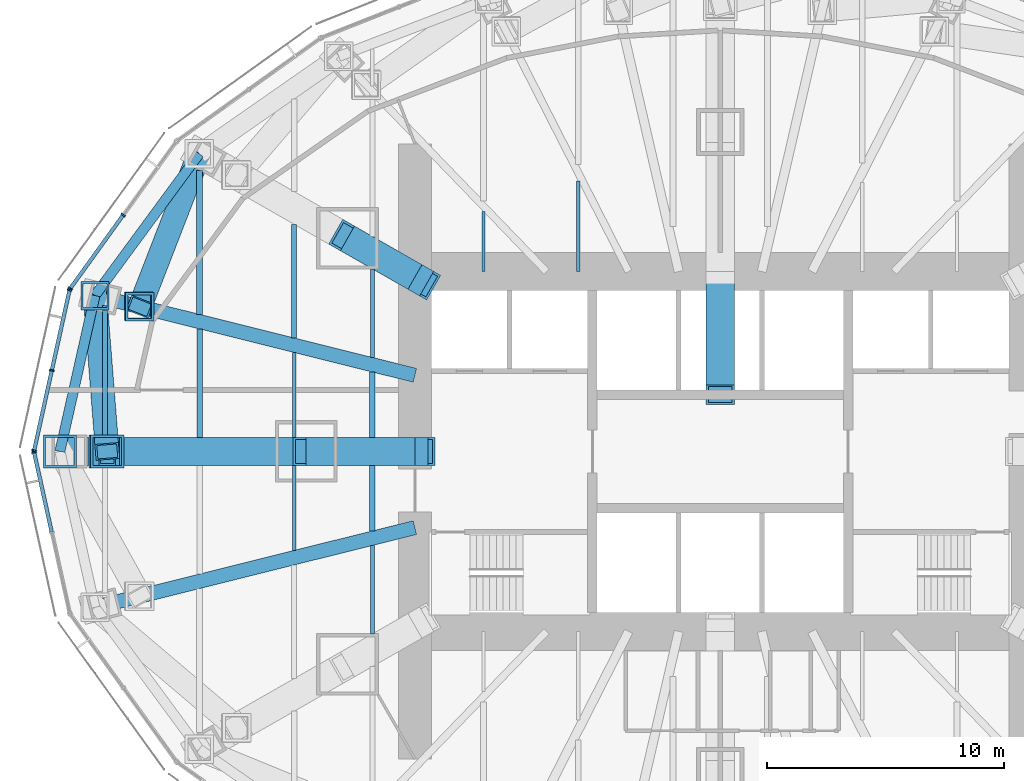
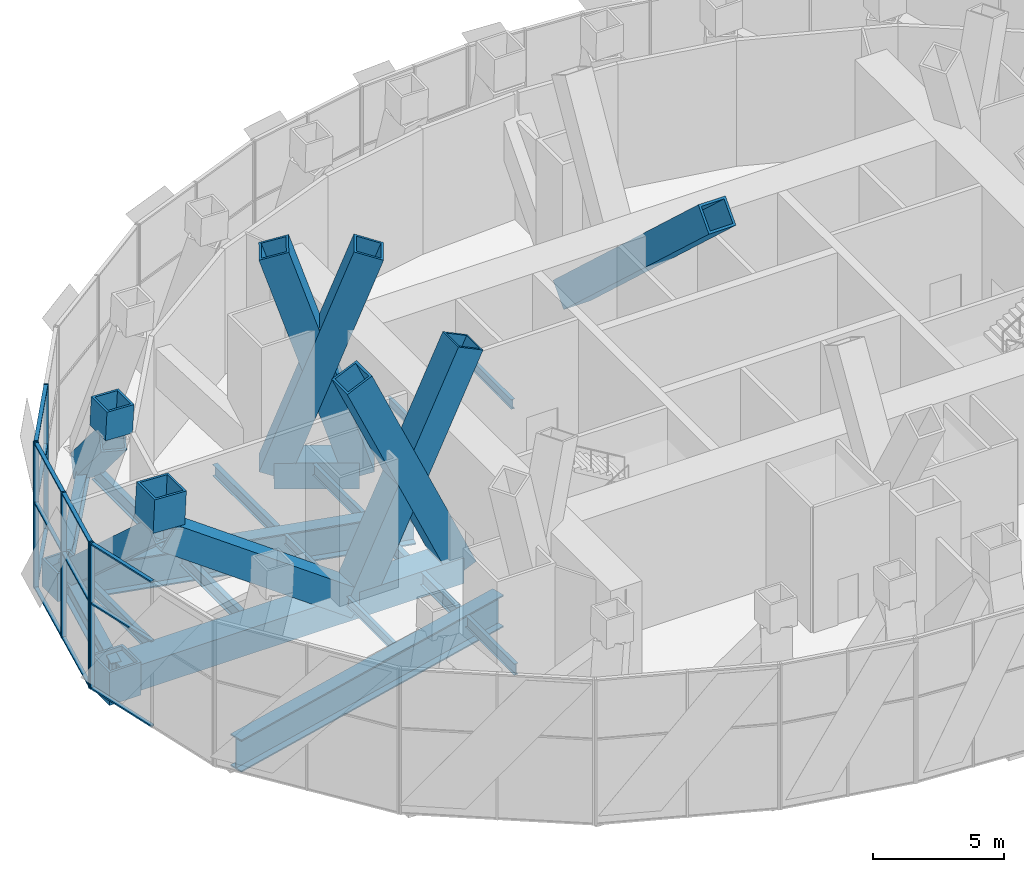
# One storey, part 4 of 19: 30 members, 19 beams, 3 elements without a shape of their own.
"""IFC4 building model written with IfcOpenShell, lengths in metres."""

import ifcopenshell
import ifcopenshell.guid

model = None  # the IFC model being written
_history = None  # IfcOwnerHistory: only IFC2X3 demands one
_inside = {}  # id of a spatial element -> (the spatial element, [elements in it])
_under = {}  # id of a project, library or spatial element -> (it, [spatial elements below it])
_declared = {}  # id of a project -> (the project, [libraries it declares])
_typed = {}  # id of a type object -> (the type object, [elements of that type])
_made_of = {}  # id of a material, layer set ... -> (it, [elements and type objects made of it])


def new_model(schema):
    """Start an empty IFC model of exactly this schema.

    Asked for "IFC4X3", IfcOpenShell would pick the latest addendum, in which some entities
    have other attributes; the version numbers below select the first issue.
    IFC2X3 requires an IfcOwnerHistory on every rooted entity: one is made here for all.
    """
    global model, _history
    if schema == "IFC4X3":
        model = ifcopenshell.file(schema_version=(4, 3, 0, 0))
    else:
        model = ifcopenshell.file(schema=schema)
    _inside.clear()
    _under.clear()
    _declared.clear()
    _typed.clear()
    _made_of.clear()
    _history = None
    if model.schema == "IFC2X3":
        org = make("IfcOrganization", Name="unknown")
        user = make(
            "IfcPersonAndOrganization",
            ThePerson=make("IfcPerson", FamilyName="unknown"),
            TheOrganization=org,
        )
        app = make(
            "IfcApplication",
            ApplicationDeveloper=org,
            Version="unknown",
            ApplicationFullName="unknown",
            ApplicationIdentifier="unknown",
        )
        _history = make(
            "IfcOwnerHistory",
            OwningUser=user,
            OwningApplication=app,
            ChangeAction="ADDED",
            CreationDate=0,
        )
    return model


def make(cls, **values):
    """One entity of the class cls with the attributes given. An attribute that is None is left unset."""
    return model.create_entity(
        cls, **{name: value for name, value in values.items() if value is not None}
    )


def rooted(cls, **values):
    """An entity with a GlobalId (a new one), such as an element, a storey or a relation."""
    return make(cls, GlobalId=ifcopenshell.guid.new(), OwnerHistory=_history, **values)


def si_unit(unit_type, name, prefix=None):
    """IfcSIUnit, for example si_unit("LENGTHUNIT", "METRE", prefix="MILLI")."""
    return make("IfcSIUnit", UnitType=unit_type, Prefix=prefix, Name=name)


def assignment(units):
    """IfcUnitAssignment: the units of a project."""
    return None if units is None else make("IfcUnitAssignment", Units=units)


def point(xyz):
    """IfcCartesianPoint."""
    return None if xyz is None else make("IfcCartesianPoint", Coordinates=xyz)


def direction(xyz):
    """IfcDirection."""
    return None if xyz is None else make("IfcDirection", DirectionRatios=xyz)


def frame(location, z_axis=None, x_axis=None):
    """IfcAxis2Placement3D, a coordinate frame: its origin and axes. An axis left out is left unset."""
    return make(
        "IfcAxis2Placement3D",
        Location=point(location),
        Axis=direction(z_axis),
        RefDirection=direction(x_axis),
    )


def frame_2d(location, x_axis=None):
    """IfcAxis2Placement2D, a coordinate frame in the plane: its origin and x axis."""
    return make(
        "IfcAxis2Placement2D", Location=point(location), RefDirection=direction(x_axis)
    )


def origin():
    """The frame at (0, 0, 0) with its axes left unset."""
    return frame((0.0, 0.0, 0.0))


def origin_2d():
    """The frame at (0, 0) in the plane with its x axis left unset."""
    return frame_2d((0.0, 0.0))


def place(relative_to, where):
    """IfcLocalPlacement: puts the frame where relative to a parent placement (None: the world)."""
    return make(
        "IfcLocalPlacement", PlacementRelTo=relative_to, RelativePlacement=where
    )


def context(
    kind, dimensions, precision=None, world=None, true_north=None, identifier=None
):
    """IfcGeometricRepresentationContext, for example the 3D "Model" context."""
    return make(
        "IfcGeometricRepresentationContext",
        ContextIdentifier=identifier,
        ContextType=kind,
        CoordinateSpaceDimension=dimensions,
        Precision=precision,
        WorldCoordinateSystem=world,
        TrueNorth=true_north,
    )


def subcontext(parent, identifier, kind, view, scale=None):
    """IfcGeometricRepresentationSubContext, for example "Body" below "Model"."""
    return make(
        "IfcGeometricRepresentationSubContext",
        ContextIdentifier=identifier,
        ContextType=kind,
        ParentContext=parent,
        TargetScale=scale,
        TargetView=view,
    )


def project(units=None, contexts=None):
    """IfcProject with its units and contexts."""
    return rooted(
        "IfcProject",
        Name="project",
        RepresentationContexts=contexts,
        UnitsInContext=assignment(units),
    )


def spatial(cls, under=None, at=None, **own):
    """A site, building, storey or space (cls), placed at a placement, below another one or the project."""
    s = rooted(cls, ObjectPlacement=at, **own)
    if under is not None:
        _under.setdefault(under.id(), (under, []))[1].append(s)
    return s


def profile(cls, at=None, kind="AREA", **sizes):
    """A parametric profile (cls). Its sizes go by their IFC names, for example OverallWidth=200.0."""
    return make(cls, ProfileType=kind, Position=at, **sizes)


def rectangle(**sizes):
    """IfcRectangleProfileDef."""
    return profile("IfcRectangleProfileDef", **sizes)


def hollow_rectangle(**sizes):
    """IfcRectangleHollowProfileDef."""
    return profile("IfcRectangleHollowProfileDef", **sizes)


def i_section(**sizes):
    """IfcIShapeProfileDef."""
    return profile("IfcIShapeProfileDef", **sizes)


def extrude(swept, where, along, depth):
    """IfcExtrudedAreaSolid: the profile swept, set in the frame where, extruded along a direction by depth."""
    return make(
        "IfcExtrudedAreaSolid",
        SweptArea=swept,
        Position=where,
        ExtrudedDirection=direction(along),
        Depth=depth,
    )


def shape(context_of_items, identifier, shape_type, items):
    """IfcShapeRepresentation: the items that make up one representation, for example the "Body"."""
    return make(
        "IfcShapeRepresentation",
        ContextOfItems=context_of_items,
        RepresentationIdentifier=identifier,
        RepresentationType=shape_type,
        Items=items,
    )


def material(Name=None, Category=None):
    """IfcMaterial."""
    return make("IfcMaterial", Name=Name, Category=Category)


def material_profile(
    of_material, cross_section, Name=None, Category=None, Priority=None
):
    """IfcMaterialProfile: a cross section and its material."""
    return make(
        "IfcMaterialProfile",
        Name=Name,
        Material=of_material,
        Profile=cross_section,
        Priority=Priority,
        Category=Category,
    )


def profile_set(profiles, Name=None, composite=None):
    """IfcMaterialProfileSet."""
    return make(
        "IfcMaterialProfileSet",
        Name=Name,
        MaterialProfiles=profiles,
        CompositeProfile=composite,
    )


def made_of(thing, what):
    """Note that an element or type object is made of a material, layer set ...; save() writes the relation."""
    if what is not None:
        _made_of.setdefault(what.id(), (what, []))[1].append(thing)
    return thing


def type_object(cls, material=None, **own):
    """A type object (cls), such as IfcWallType, which elements share."""
    return made_of(rooted(cls, **own), material)


def element(
    cls,
    number,
    at=None,
    inside=None,
    cuts=None,
    type_object=None,
    material=None,
    context=None,
    identifier="Body",
    shape_type=None,
    held_by="IfcProductDefinitionShape",
    body=None,
    shapes=None,
    **own,
):
    """One element of the class cls, such as IfcWall. Its Tag is "e" and its number.

    at: its placement. inside: the storey or other place that contains it. cuts: it is an
    opening in that element (IfcRelVoidsElement). A single representation is given by context,
    identifier, shape_type and body (its items); several are given by shapes. held_by: the class
    of the entity that holds the representations. save() writes the other relations.
    """
    e = rooted(cls, Tag="e%d" % number, ObjectPlacement=at, **own)
    if body is not None:
        shapes = [shape(context, identifier, shape_type, body)]
    if shapes is not None:
        e.Representation = make(held_by, Representations=shapes)
    if inside is not None:
        _inside.setdefault(inside.id(), (inside, []))[1].append(e)
    if cuts is not None:
        rooted(
            "IfcRelVoidsElement", RelatingBuildingElement=cuts, RelatedOpeningElement=e
        )
    if type_object is not None:
        _typed.setdefault(type_object.id(), (type_object, []))[1].append(e)
    return made_of(e, material)


def aggregate(whole, parts):
    """IfcRelAggregates: a whole, such as a stair, and the parts it consists of."""
    return rooted("IfcRelAggregates", RelatingObject=whole, RelatedObjects=parts)


def save(model, path):
    """Write the relations noted so far, then the file.

    IfcRelAggregates (storeys below a building ...), IfcRelContainedInSpatialStructure (elements
    in a storey), IfcRelDefinesByType, IfcRelAssociatesMaterial and IfcRelDeclares: one each for
    every whole, place, type object, material and project.
    """
    for whole, parts in _under.values():
        aggregate(whole, parts)
    for where, things in _inside.values():
        rooted(
            "IfcRelContainedInSpatialStructure",
            RelatedElements=things,
            RelatingStructure=where,
        )
    for kind, things in _typed.values():
        rooted("IfcRelDefinesByType", RelatedObjects=things, RelatingType=kind)
    for what, things in _made_of.values():
        rooted("IfcRelAssociatesMaterial", RelatedObjects=things, RelatingMaterial=what)
    for by, libraries in _declared.values():
        rooted("IfcRelDeclares", RelatingContext=by, RelatedDefinitions=libraries)
    model.write(path)


model = new_model("IFC4")

# Units and contexts
model_context = context("Model", 3, precision=1e-05, world=origin(), true_north=direction((0.0, 1.0)))
body_context = subcontext(model_context, "Body", "Model", "MODEL_VIEW")
ifc_project = project(units=[si_unit("LENGTHUNIT", "METRE"), si_unit("AREAUNIT", "SQUARE_METRE"), si_unit("VOLUMEUNIT", "CUBIC_METRE"), si_unit("PLANEANGLEUNIT", "RADIAN"), si_unit("MASSUNIT", "GRAM", prefix="KILO")], contexts=[model_context])

# Site, building, storey
site_placement = place(None, origin())
site = spatial("IfcSite", under=ifc_project, at=site_placement, CompositionType="ELEMENT")
building_placement = place(site_placement, origin())
building = spatial("IfcBuilding", under=site, at=building_placement, Name="Lantaw Convention Tower", CompositionType="ELEMENT")
storey_placement = place(building_placement, frame((0.0, 0.0, 193.0)))
storey = spatial("IfcBuildingStorey", under=building, at=storey_placement, Name="L45", CompositionType="ELEMENT", Elevation=193.0)

# Beams
ifc_material_1 = material(Name="Steel ASTM A992", Category="steel")
ifc_material_profile_1 = material_profile(ifc_material_1, i_section(OverallWidth=0.424072265625, OverallDepth=0.947509765625, WebThickness=0.02392578125, FlangeThickness=0.042724609375, FilletRadius=0.012451171875, at=origin_2d()), Name="W36X302")
ifc_profile_set_1 = profile_set([ifc_material_profile_1], Name="Steel ASTM A992")
beam_type_1 = type_object("IfcBeamType", Name="Beam BC W36X302", PredefinedType="SPANDREL", material=ifc_profile_set_1)
beam_1_placement = place(storey_placement, frame((-22.013916015625, 12.579345703125, -0.673828125), z_axis=(-0.5923891972, -0.805651934176, 0.0), x_axis=(0.805651934176, -0.5923891972, 0.0)))
element("IfcBeam", 1, at=beam_1_placement, inside=storey, type_object=beam_type_1, Name="Belt truss chord 11", PredefinedType="SPANDREL", context=body_context, shape_type="SweptSolid", body=[
    extrude(i_section(OverallWidth=0.424072265625, OverallDepth=0.947509765625, WebThickness=0.02392578125, FlangeThickness=0.042724609375, FilletRadius=0.012451171875, at=origin_2d()), origin(), (0.0, 0.0, 1.0), 7.437744140625),
])
beam_2_placement = place(storey_placement, frame((-26.419921875, 6.587158203125, -0.673828125), z_axis=(-0.219211877447, -0.975677279015, 0.0), x_axis=(0.975677279015, -0.219211877447, 0.0)))
element("IfcBeam", 2, at=beam_2_placement, inside=storey, type_object=beam_type_1, Name="Belt truss chord 12", PredefinedType="SPANDREL", context=body_context, shape_type="SweptSolid", body=[
    extrude(i_section(OverallWidth=0.424072265625, OverallDepth=0.947509765625, WebThickness=0.02392578125, FlangeThickness=0.042724609375, FilletRadius=0.012451171875, at=origin_2d()), origin(), (0.0, 0.0, 1.0), 6.75146484375),
])
ifc_material_2 = material(Name="Steel EN 10025-3 S460N", Category="steel")
ifc_material_profile_2 = material_profile(ifc_material_2, hollow_rectangle(XDim=1.199951171875, YDim=1.199951171875, WallThickness=0.10009765625, at=origin_2d()), Name="BOX1200X100")
ifc_profile_set_2 = profile_set([ifc_material_profile_2], Name="Steel EN 10025-3 S460N")
beam_type_2 = type_object("IfcBeamType", Name="Beam G BOX1200X100", PredefinedType="BEAM", material=ifc_profile_set_2)
beam_3_placement = place(storey_placement, frame((-17.5, 0.0, -0.800048828125), z_axis=(-1.0, 0.0, 0.0), x_axis=(0.0, -1.0, 0.0)))
element("IfcBeam", 3, at=beam_3_placement, inside=storey, type_object=beam_type_2, Name="Floor girder on ray 13", PredefinedType="BEAM", context=body_context, shape_type="SweptSolid", body=[
    extrude(hollow_rectangle(XDim=1.199951171875, YDim=1.199951171875, WallThickness=0.10009765625, at=origin_2d()), origin(), (0.0, 0.0, 1.0), 10.39990234375),
])
ifc_material_3 = material(Name="Steel ASTM A572 Grade 50", Category="steel")
ifc_material_profile_3 = material_profile(ifc_material_3, i_section(OverallWidth=0.60009765625, OverallDepth=1.5, WebThickness=0.02490234375, FlangeThickness=0.06005859375, at=origin_2d()), Name="PG1500X600X25X60")
ifc_profile_set_3 = profile_set([ifc_material_profile_3], Name="Steel ASTM A572 Grade 50")
beam_type_3 = type_object("IfcBeamType", Name="Beam G PG1500X600X25X60", PredefinedType="BEAM", material=ifc_profile_set_3)
for number, where, z_axis, x_axis, name in (
    (4, (-12.89990234375, 3.21630859375, -0.949951171875), (-0.970296903132, 0.24191717544, 0.0), (-0.24191717544, -0.970296903132, 0.0), "Floor girder on ray 12"),
    (5, (-12.89990234375, -3.21630859375, -0.949951171875), (-0.970296903132, -0.24191717544, 0.0), (0.24191717544, -0.970296903132, 0.0), "Floor girder on ray 14"),
):
    element("IfcBeam", number, at=place(storey_placement, frame(where, z_axis=z_axis, x_axis=x_axis)), inside=storey, type_object=beam_type_3, Name=name, PredefinedType="BEAM", context=body_context, shape_type="SweptSolid", body=[
        extrude(i_section(OverallWidth=0.60009765625, OverallDepth=1.5, WebThickness=0.02490234375, FlangeThickness=0.06005859375, at=origin_2d()), origin(), (0.0, 0.0, 1.0), 13.933837890625),
    ])
ifc_material_profile_4 = material_profile(ifc_material_1, i_section(OverallWidth=0.140380859375, OverallDepth=0.40380859375, WebThickness=0.007080078125, FlangeThickness=0.01123046875, FilletRadius=0.01025390625, at=origin_2d()), Name="W16X31")
ifc_profile_set_4 = profile_set([ifc_material_profile_4], Name="Steel ASTM A992")
beam_type_4 = type_object("IfcBeamType", Name="Beam J W16X31", PredefinedType="JOIST", material=ifc_profile_set_4)
beam_4_placement = place(storey_placement, frame((-10.0, 7.60009765625, -0.40185546875), z_axis=(0.0, 1.0, 0.0), x_axis=(-1.0, 0.0, 0.0)))
element("IfcBeam", 6, at=beam_4_placement, inside=storey, type_object=beam_type_4, Name="Floor joist", PredefinedType="JOIST", context=body_context, shape_type="SweptSolid", body=[
    extrude(i_section(OverallWidth=0.140380859375, OverallDepth=0.40380859375, WebThickness=0.007080078125, FlangeThickness=0.01123046875, FilletRadius=0.01025390625, at=origin_2d()), origin(), (0.0, 0.0, 1.0), 2.533935546875),
])
ifc_material_profile_5 = material_profile(ifc_material_1, i_section(OverallWidth=0.15234375, OverallDepth=0.449462890625, WebThickness=0.007568359375, FlangeThickness=0.0107421875, FilletRadius=0.01025390625, at=origin_2d()), Name="W18X35")
ifc_profile_set_5 = profile_set([ifc_material_profile_5], Name="Steel ASTM A992")
beam_type_5 = type_object("IfcBeamType", Name="Beam J W18X35", PredefinedType="JOIST", material=ifc_profile_set_5)
for number, where, z_axis, x_axis, name in (
    (7, (-18.0, -4.1787109375, -0.4248046875), (0.0, 1.0, 0.0), (-1.0, 0.0, 0.0), "Floor joist"),
    (8, (-18.0, 0.60009765625, -0.4248046875), (0.0, 1.0, 0.0), (-1.0, 0.0, 0.0), "Floor joist"),
):
    element("IfcBeam", number, at=place(storey_placement, frame(where, z_axis=z_axis, x_axis=x_axis)), inside=storey, type_object=beam_type_5, Name=name, PredefinedType="JOIST", context=body_context, shape_type="SweptSolid", body=[
        extrude(i_section(OverallWidth=0.15234375, OverallDepth=0.449462890625, WebThickness=0.007568359375, FlangeThickness=0.0107421875, FilletRadius=0.01025390625, at=origin_2d()), origin(), (0.0, 0.0, 1.0), 3.57861328125),
    ])
beam_5_placement = place(storey_placement, frame((-6.0, 7.60009765625, -0.4248046875), z_axis=(0.0, 1.0, 0.0), x_axis=(-1.0, 0.0, 0.0)))
element("IfcBeam", 9, at=beam_5_placement, inside=storey, type_object=beam_type_5, Name="Floor joist", PredefinedType="JOIST", context=body_context, shape_type="SweptSolid", body=[
    extrude(i_section(OverallWidth=0.15234375, OverallDepth=0.449462890625, WebThickness=0.007568359375, FlangeThickness=0.0107421875, FilletRadius=0.01025390625, at=origin_2d()), origin(), (0.0, 0.0, 1.0), 3.837158203125),
])
ifc_material_profile_6 = material_profile(ifc_material_1, i_section(OverallWidth=0.1650390625, OverallDepth=0.52587890625, WebThickness=0.0087890625, FlangeThickness=0.011474609375, FilletRadius=0.0126953125, at=origin_2d()), Name="W21X44")
ifc_profile_set_6 = profile_set([ifc_material_profile_6], Name="Steel ASTM A992")
beam_type_6 = type_object("IfcBeamType", Name="Beam J W21X44", PredefinedType="JOIST", material=ifc_profile_set_6)
for number, where, z_axis, x_axis, name in (
    (10, (-14.699951171875, -7.708984375, -0.462890625), (0.0, 1.0, 0.0), (-1.0, 0.0, 0.0), "Floor joist"),
    (11, (-14.699951171875, 3.974365234375, -0.462890625), (0.0, 1.0, 0.0), (-1.0, 0.0, 0.0), "Floor joist"),
):
    element("IfcBeam", number, at=place(storey_placement, frame(where, z_axis=z_axis, x_axis=x_axis)), inside=storey, type_object=beam_type_6, Name=name, PredefinedType="JOIST", context=body_context, shape_type="SweptSolid", body=[
        extrude(i_section(OverallWidth=0.1650390625, OverallDepth=0.52587890625, WebThickness=0.0087890625, FlangeThickness=0.011474609375, FilletRadius=0.0126953125, at=origin_2d()), origin(), (0.0, 0.0, 1.0), 3.734619140625),
    ])
ifc_material_profile_7 = material_profile(ifc_material_1, i_section(OverallWidth=0.209228515625, OverallDepth=0.533447265625, WebThickness=0.01025390625, FlangeThickness=0.015625, FilletRadius=0.012939453125, at=origin_2d()), Name="W21X62")
ifc_profile_set_7 = profile_set([ifc_material_profile_7], Name="Steel ASTM A992")
beam_type_7 = type_object("IfcBeamType", Name="Beam J W21X62", PredefinedType="JOIST", material=ifc_profile_set_7)
beam_6_placement = place(storey_placement, frame((-26.0, 0.60009765625, -0.466796875), z_axis=(0.0, 1.0, 0.0), x_axis=(-1.0, 0.0, 0.0)))
element("IfcBeam", 12, at=beam_6_placement, inside=storey, type_object=beam_type_7, Name="Floor joist", PredefinedType="JOIST", context=body_context, shape_type="SweptSolid", body=[
    extrude(i_section(OverallWidth=0.209228515625, OverallDepth=0.533447265625, WebThickness=0.01025390625, FlangeThickness=0.015625, FilletRadius=0.012939453125, at=origin_2d()), origin(), (0.0, 0.0, 1.0), 5.5732421875),
])
ifc_material_profile_8 = material_profile(ifc_material_1, i_section(OverallWidth=0.2099609375, OverallDepth=0.535888671875, WebThickness=0.010986328125, FlangeThickness=0.017333984375, FilletRadius=0.012939453125, at=origin_2d()), Name="W21X68")
ifc_profile_set_8 = profile_set([ifc_material_profile_8], Name="Steel ASTM A992")
beam_type_8 = type_object("IfcBeamType", Name="Beam J W21X68", PredefinedType="JOIST", material=ifc_profile_set_8)
beam_7_placement = place(storey_placement, frame((-18.0, 4.797119140625, -0.468017578125), z_axis=(0.0, 1.0, 0.0), x_axis=(-1.0, 0.0, 0.0)))
element("IfcBeam", 13, at=beam_7_placement, inside=storey, type_object=beam_type_8, Name="Floor joist", PredefinedType="JOIST", context=body_context, shape_type="SweptSolid", body=[
    extrude(i_section(OverallWidth=0.2099609375, OverallDepth=0.535888671875, WebThickness=0.010986328125, FlangeThickness=0.017333984375, FilletRadius=0.012939453125, at=origin_2d()), origin(), (0.0, 0.0, 1.0), 4.797607421875),
])
ifc_material_profile_9 = material_profile(ifc_material_1, i_section(OverallWidth=0.227783203125, OverallDepth=0.60205078125, WebThickness=0.010498046875, FlangeThickness=0.014892578125, FilletRadius=0.012939453125, at=origin_2d()), Name="W24X68")
ifc_profile_set_9 = profile_set([ifc_material_profile_9], Name="Steel ASTM A992")
beam_type_9 = type_object("IfcBeamType", Name="Beam J W24X68", PredefinedType="JOIST", material=ifc_profile_set_9)
for number, where, z_axis, x_axis, name in (
    (14, (-14.699951171875, -3.35595703125, -0.5009765625), (0.0, 1.0, 0.0), (-1.0, 0.0, 0.0), "Floor joist"),
    (15, (-14.699951171875, 0.60009765625, -0.5009765625), (0.0, 1.0, 0.0), (-1.0, 0.0, 0.0), "Floor joist"),
):
    element("IfcBeam", number, at=place(storey_placement, frame(where, z_axis=z_axis, x_axis=x_axis)), inside=storey, type_object=beam_type_9, Name=name, PredefinedType="JOIST", context=body_context, shape_type="SweptSolid", body=[
        extrude(i_section(OverallWidth=0.227783203125, OverallDepth=0.60205078125, WebThickness=0.010498046875, FlangeThickness=0.014892578125, FilletRadius=0.012939453125, at=origin_2d()), origin(), (0.0, 0.0, 1.0), 2.755859375),
    ])
ifc_material_profile_10 = material_profile(ifc_material_1, i_section(OverallWidth=0.22900390625, OverallDepth=0.612060546875, WebThickness=0.011962890625, FlangeThickness=0.01953125, FilletRadius=0.0126953125, at=origin_2d()), Name="W24X84")
ifc_profile_set_10 = profile_set([ifc_material_profile_10], Name="Steel ASTM A992")
beam_type_10 = type_object("IfcBeamType", Name="Beam J W24X84", PredefinedType="JOIST", material=ifc_profile_set_10)
beam_8_placement = place(storey_placement, frame((-22.0, 0.60009765625, -0.506103515625), z_axis=(0.0, 1.0, 0.0), x_axis=(-1.0, 0.0, 0.0)))
element("IfcBeam", 16, at=beam_8_placement, inside=storey, type_object=beam_type_10, Name="Floor joist", PredefinedType="JOIST", context=body_context, shape_type="SweptSolid", body=[
    extrude(i_section(OverallWidth=0.22900390625, OverallDepth=0.612060546875, WebThickness=0.011962890625, FlangeThickness=0.01953125, FilletRadius=0.0126953125, at=origin_2d()), origin(), (0.0, 0.0, 1.0), 4.575927734375),
])
ifc_material_profile_11 = material_profile(ifc_material_1, i_section(OverallWidth=0.25390625, OverallDepth=0.683349609375, WebThickness=0.012451171875, FlangeThickness=0.01904296875, FilletRadius=0.01513671875, at=origin_2d()), Name="W27X94")
ifc_profile_set_11 = profile_set([ifc_material_profile_11], Name="Steel ASTM A992")
beam_type_11 = type_object("IfcBeamType", Name="Beam J W27X94", PredefinedType="JOIST", material=ifc_profile_set_11)
beam_9_placement = place(storey_placement, frame((-22.0, 5.79443359375, -0.541748046875), z_axis=(0.0, 1.0, 0.0), x_axis=(-1.0, 0.0, 0.0)))
element("IfcBeam", 17, at=beam_9_placement, inside=storey, type_object=beam_type_11, Name="Floor joist", PredefinedType="JOIST", context=body_context, shape_type="SweptSolid", body=[
    extrude(i_section(OverallWidth=0.25390625, OverallDepth=0.683349609375, WebThickness=0.012451171875, FlangeThickness=0.01904296875, FilletRadius=0.01513671875, at=origin_2d()), origin(), (0.0, 0.0, 1.0), 6.0859375),
])
ifc_material_profile_12 = material_profile(ifc_material_2, hollow_rectangle(XDim=1.199951171875, YDim=1.199951171875, WallThickness=0.10009765625, at=origin_2d()), Name="BOX1200X100")
ifc_profile_set_12 = profile_set([ifc_material_profile_12], Name="Steel EN 10025-3 S460N")
beam_type_12 = type_object("IfcBeamType", Name="Beam OC BOX1200X100", PredefinedType="BEAM", material=ifc_profile_set_12)
beam_10_placement = place(storey_placement, frame((-12.89990234375, 7.371337890625, -0.800048828125), z_axis=(-0.868238565244, 0.496146947811, 0.0), x_axis=(-0.496146947811, -0.868238565244, 0.0)))
element("IfcBeam", 18, at=beam_10_placement, inside=storey, type_object=beam_type_12, Name="Outrigger chord on ray 11", PredefinedType="BEAM", context=body_context, shape_type="SweptSolid", body=[
    extrude(hollow_rectangle(XDim=1.199951171875, YDim=1.199951171875, WallThickness=0.10009765625, at=origin_2d()), origin(), (0.0, 0.0, 1.0), 3.28271484375),
])
beam_11_placement = place(storey_placement, frame((-12.89990234375, 0.0, -0.800048828125), z_axis=(-1.0, 0.0, 0.0), x_axis=(0.0, -1.0, 0.0)))
element("IfcBeam", 19, at=beam_11_placement, inside=storey, type_object=beam_type_12, Name="Outrigger chord on ray 13", PredefinedType="BEAM", context=body_context, shape_type="SweptSolid", body=[
    extrude(hollow_rectangle(XDim=1.199951171875, YDim=1.199951171875, WallThickness=0.10009765625, at=origin_2d()), origin(), (0.0, 0.0, 1.0), 4.60009765625),
])

# Curtain wall, members
ifc_material_4 = material(Name="Aluminium framed curtain wall", Category="aluminium")
curtain_wall_type = type_object("IfcCurtainWallType", Name="Plant floor louvre wall, pale aluminium", PredefinedType="USERDEFINED", material=ifc_material_4)
curtain_wall_1_placement = place(storey_placement, origin())
curtain_wall_1 = element("IfcCurtainWall", 20, at=curtain_wall_1_placement, inside=storey, type_object=curtain_wall_type, Name="Plant floor louvre wall, pale aluminium L45", ObjectType="LOUVRE WALL", PredefinedType="USERDEFINED")
ifc_material_5 = material(Name="Aluminium 6063-T6", Category="aluminium")
ifc_material_profile_13 = material_profile(ifc_material_5, rectangle(XDim=0.199951171875, YDim=0.070068359375, at=origin_2d()), Name="CW-LV mullion 70x200")
ifc_profile_set_13 = profile_set([ifc_material_profile_13], Name="Aluminium 6063-T6")
member_type_1 = type_object("IfcMemberType", Name="CW-LV mullion 70x200", PredefinedType="MULLION", material=ifc_profile_set_13)
member_1_placement = place(storey_placement, frame((-25.22802734375, 9.9892578125, -1.0), z_axis=(0.0, 0.0, 1.0), x_axis=(0.811384633629, -0.584512597221, 0.0)))
member_1 = element("IfcMember", 21, at=member_1_placement, type_object=member_type_1, Name="CW-LV mullion 2", PredefinedType="MULLION", context=body_context, shape_type="SweptSolid", body=[
    extrude(rectangle(XDim=0.199951171875, YDim=0.070068359375, at=origin_2d()), origin(), (0.0, 0.0, 1.0), 6.800048828125),
])
member_2_placement = place(storey_placement, frame((-27.466796875, 6.8818359375, -1.0), z_axis=(0.0, 0.0, 1.0), x_axis=(0.811384633629, -0.584512597221, 0.0)))
member_2 = element("IfcMember", 22, at=member_2_placement, type_object=member_type_1, Name="CW-LV mullion 3", PredefinedType="MULLION", context=body_context, shape_type="SweptSolid", body=[
    extrude(rectangle(XDim=0.199951171875, YDim=0.070068359375, at=origin_2d()), origin(), (0.0, 0.0, 1.0), 6.800048828125),
])

curtain_wall_2_placement = place(storey_placement, origin())
curtain_wall_2 = element("IfcCurtainWall", 23, at=curtain_wall_2_placement, inside=storey, type_object=curtain_wall_type, Name="Plant floor louvre wall, pale aluminium L45", ObjectType="LOUVRE WALL", PredefinedType="USERDEFINED")
member_3_placement = place(storey_placement, frame((-27.494873046875, 6.819091796875, -1.0), z_axis=(0.0, 0.0, 1.0), x_axis=(0.9764936509, -0.215546166174, 0.0)))
member_3 = element("IfcMember", 24, at=member_3_placement, type_object=member_type_1, Name="CW-LV mullion 1", PredefinedType="MULLION", context=body_context, shape_type="SweptSolid", body=[
    extrude(rectangle(XDim=0.199951171875, YDim=0.070068359375, at=origin_2d()), origin(), (0.0, 0.0, 1.0), 6.800048828125),
])
member_4_placement = place(storey_placement, frame((-28.24365234375, 3.4267578125, -1.0), z_axis=(0.0, 0.0, 1.0), x_axis=(0.9764936509, -0.215546166174, 0.0)))
member_4 = element("IfcMember", 25, at=member_4_placement, type_object=member_type_1, Name="CW-LV mullion 2", PredefinedType="MULLION", context=body_context, shape_type="SweptSolid", body=[
    extrude(rectangle(XDim=0.199951171875, YDim=0.070068359375, at=origin_2d()), origin(), (0.0, 0.0, 1.0), 6.800048828125),
])
member_5_placement = place(storey_placement, frame((-28.992431640625, 0.0341796875, -1.0), z_axis=(0.0, 0.0, 1.0), x_axis=(0.9764936509, -0.215546166174, 0.0)))
member_5 = element("IfcMember", 26, at=member_5_placement, type_object=member_type_1, Name="CW-LV mullion 3", PredefinedType="MULLION", context=body_context, shape_type="SweptSolid", body=[
    extrude(rectangle(XDim=0.199951171875, YDim=0.070068359375, at=origin_2d()), origin(), (0.0, 0.0, 1.0), 6.800048828125),
])

# Curtain wall, member
curtain_wall_3_placement = place(storey_placement, origin())
curtain_wall_3 = element("IfcCurtainWall", 27, at=curtain_wall_3_placement, inside=storey, type_object=curtain_wall_type, Name="Plant floor louvre wall, pale aluminium L45", ObjectType="LOUVRE WALL", PredefinedType="USERDEFINED")
member_6_placement = place(storey_placement, frame((-28.992431640625, -0.0341796875, -1.0), z_axis=(0.0, 0.0, 1.0), x_axis=(0.9764936509, 0.215546166174, 0.0)))
member_6 = element("IfcMember", 28, at=member_6_placement, type_object=member_type_1, Name="CW-LV mullion 1", PredefinedType="MULLION", context=body_context, shape_type="SweptSolid", body=[
    extrude(rectangle(XDim=0.199951171875, YDim=0.070068359375, at=origin_2d()), origin(), (0.0, 0.0, 1.0), 6.800048828125),
])

# Member
ifc_material_profile_14 = material_profile(ifc_material_5, rectangle(XDim=0.159912109375, YDim=0.070068359375, at=origin_2d()), Name="CW-LV transom 70x160")
ifc_profile_set_14 = profile_set([ifc_material_profile_14], Name="Aluminium 6063-T6")
member_type_2 = type_object("IfcMemberType", Name="CW-LV transom 70x160", PredefinedType="USERDEFINED", material=ifc_profile_set_14)
member_7_placement = place(storey_placement, frame((-25.24853515625, 9.9609375, -0.965087890625), z_axis=(-0.584513390493, -0.811384062164, 0.0), x_axis=(0.811384062164, -0.584513390493, 0.0)))
member_7 = element("IfcMember", 29, at=member_7_placement, type_object=member_type_2, Name="CW-LV transom 2.1", ObjectType="TRANSOM", PredefinedType="USERDEFINED", context=body_context, shape_type="SweptSolid", body=[
    extrude(rectangle(XDim=0.159912109375, YDim=0.070068359375, at=origin_2d()), origin(), (0.0, 0.0, 1.0), 3.760009765625),
])

member_8_placement = place(storey_placement, frame((-25.24853515625, 9.9609375, 3.0), z_axis=(-0.584513390493, -0.811384062164, 0.0), x_axis=(0.811384062164, -0.584513390493, 0.0)))
member_8 = element("IfcMember", 30, at=member_8_placement, type_object=member_type_2, Name="CW-LV transom 2.2", ObjectType="TRANSOM", PredefinedType="USERDEFINED", context=body_context, shape_type="SweptSolid", body=[
    extrude(rectangle(XDim=0.159912109375, YDim=0.070068359375, at=origin_2d()), origin(), (0.0, 0.0, 1.0), 3.760009765625),
])

member_9_placement = place(storey_placement, frame((-25.24853515625, 9.9609375, 5.764892578125), z_axis=(-0.584513390493, -0.811384062164, 0.0), x_axis=(0.811384062164, -0.584513390493, 0.0)))
member_9 = element("IfcMember", 31, at=member_9_placement, type_object=member_type_2, Name="CW-LV transom 2.3", ObjectType="TRANSOM", PredefinedType="USERDEFINED", context=body_context, shape_type="SweptSolid", body=[
    extrude(rectangle(XDim=0.159912109375, YDim=0.070068359375, at=origin_2d()), origin(), (0.0, 0.0, 1.0), 3.760009765625),
])

aggregate(curtain_wall_1, [member_1, member_2, member_7, member_8, member_9])

member_10_placement = place(storey_placement, frame((-27.502197265625, 6.784912109375, -0.965087890625), z_axis=(-0.215593710182, -0.976483155067, 0.0), x_axis=(0.976483155067, -0.215593710182, 0.0)))
member_10 = element("IfcMember", 32, at=member_10_placement, type_object=member_type_2, Name="CW-LV transom 1.1", ObjectType="TRANSOM", PredefinedType="USERDEFINED", context=body_context, shape_type="SweptSolid", body=[
    extrude(rectangle(XDim=0.159912109375, YDim=0.070068359375, at=origin_2d()), origin(), (0.0, 0.0, 1.0), 3.404052734375),
])

member_11_placement = place(storey_placement, frame((-27.502197265625, 6.784912109375, 3.0), z_axis=(-0.215593710182, -0.976483155067, 0.0), x_axis=(0.976483155067, -0.215593710182, 0.0)))
member_11 = element("IfcMember", 33, at=member_11_placement, type_object=member_type_2, Name="CW-LV transom 1.2", ObjectType="TRANSOM", PredefinedType="USERDEFINED", context=body_context, shape_type="SweptSolid", body=[
    extrude(rectangle(XDim=0.159912109375, YDim=0.070068359375, at=origin_2d()), origin(), (0.0, 0.0, 1.0), 3.404052734375),
])

member_12_placement = place(storey_placement, frame((-27.502197265625, 6.784912109375, 5.764892578125), z_axis=(-0.215593710182, -0.976483155067, 0.0), x_axis=(0.976483155067, -0.215593710182, 0.0)))
member_12 = element("IfcMember", 34, at=member_12_placement, type_object=member_type_2, Name="CW-LV transom 1.3", ObjectType="TRANSOM", PredefinedType="USERDEFINED", context=body_context, shape_type="SweptSolid", body=[
    extrude(rectangle(XDim=0.159912109375, YDim=0.070068359375, at=origin_2d()), origin(), (0.0, 0.0, 1.0), 3.404052734375),
])

member_13_placement = place(storey_placement, frame((-28.251220703125, 3.392578125, -0.965087890625), z_axis=(-0.215510227475, -0.976501583129, 0.0), x_axis=(0.976501583129, -0.215510227475, 0.0)))
member_13 = element("IfcMember", 35, at=member_13_placement, type_object=member_type_2, Name="CW-LV transom 2.1", ObjectType="TRANSOM", PredefinedType="USERDEFINED", context=body_context, shape_type="SweptSolid", body=[
    extrude(rectangle(XDim=0.159912109375, YDim=0.070068359375, at=origin_2d()), origin(), (0.0, 0.0, 1.0), 3.404296875),
])

member_14_placement = place(storey_placement, frame((-28.251220703125, 3.392578125, 3.0), z_axis=(-0.215510227475, -0.976501583129, 0.0), x_axis=(0.976501583129, -0.215510227475, 0.0)))
member_14 = element("IfcMember", 36, at=member_14_placement, type_object=member_type_2, Name="CW-LV transom 2.2", ObjectType="TRANSOM", PredefinedType="USERDEFINED", context=body_context, shape_type="SweptSolid", body=[
    extrude(rectangle(XDim=0.159912109375, YDim=0.070068359375, at=origin_2d()), origin(), (0.0, 0.0, 1.0), 3.404296875),
])

member_15_placement = place(storey_placement, frame((-28.251220703125, 3.392578125, 5.764892578125), z_axis=(-0.215510227475, -0.976501583129, 0.0), x_axis=(0.976501583129, -0.215510227475, 0.0)))
member_15 = element("IfcMember", 37, at=member_15_placement, type_object=member_type_2, Name="CW-LV transom 2.3", ObjectType="TRANSOM", PredefinedType="USERDEFINED", context=body_context, shape_type="SweptSolid", body=[
    extrude(rectangle(XDim=0.159912109375, YDim=0.070068359375, at=origin_2d()), origin(), (0.0, 0.0, 1.0), 3.404296875),
])

aggregate(curtain_wall_2, [member_3, member_4, member_5, member_10, member_11, member_12, member_13, member_14, member_15])

member_16_placement = place(storey_placement, frame((-28.98486328125, -0.068359375, -0.965087890625), z_axis=(0.215510227475, -0.976501583129, 0.0), x_axis=(0.976501583129, 0.215510227475, 0.0)))
member_16 = element("IfcMember", 38, at=member_16_placement, type_object=member_type_2, Name="CW-LV transom 1.1", ObjectType="TRANSOM", PredefinedType="USERDEFINED", context=body_context, shape_type="SweptSolid", body=[
    extrude(rectangle(XDim=0.159912109375, YDim=0.070068359375, at=origin_2d()), origin(), (0.0, 0.0, 1.0), 3.404296875),
])

member_17_placement = place(storey_placement, frame((-28.98486328125, -0.068359375, 3.0), z_axis=(0.215510227475, -0.976501583129, 0.0), x_axis=(0.976501583129, 0.215510227475, 0.0)))
member_17 = element("IfcMember", 39, at=member_17_placement, type_object=member_type_2, Name="CW-LV transom 1.2", ObjectType="TRANSOM", PredefinedType="USERDEFINED", context=body_context, shape_type="SweptSolid", body=[
    extrude(rectangle(XDim=0.159912109375, YDim=0.070068359375, at=origin_2d()), origin(), (0.0, 0.0, 1.0), 3.404296875),
])

member_18_placement = place(storey_placement, frame((-28.98486328125, -0.068359375, 5.764892578125), z_axis=(0.215510227475, -0.976501583129, 0.0), x_axis=(0.976501583129, 0.215510227475, 0.0)))
member_18 = element("IfcMember", 40, at=member_18_placement, type_object=member_type_2, Name="CW-LV transom 1.3", ObjectType="TRANSOM", PredefinedType="USERDEFINED", context=body_context, shape_type="SweptSolid", body=[
    extrude(rectangle(XDim=0.159912109375, YDim=0.070068359375, at=origin_2d()), origin(), (0.0, 0.0, 1.0), 3.404296875),
])

aggregate(curtain_wall_3, [member_6, member_16, member_17, member_18])

# Members
ifc_material_profile_15 = material_profile(ifc_material_3, hollow_rectangle(XDim=1.0, YDim=1.0, WallThickness=0.080078125, at=origin_2d()), Name="BOX1000X80")
ifc_profile_set_15 = profile_set([ifc_material_profile_15], Name="Steel ASTM A572 Grade 50")
member_type_3 = type_object("IfcMemberType", Name="Member BT BOX1000X80", PredefinedType="BRACE", material=ifc_profile_set_15)
member_19_placement = place(storey_placement, frame((-22.013916015625, 12.579345703125, -0.673828125), z_axis=(-0.272527999054, -0.702529589308, 0.65740449183), x_axis=(0.932308261448, -0.361664631442, 0.0)))
element("IfcMember", 41, at=member_19_placement, inside=storey, type_object=member_type_3, Name="Belt truss diagonal 11", PredefinedType="BRACE", context=body_context, shape_type="SweptSolid", body=[
    extrude(hollow_rectangle(XDim=1.0, YDim=1.0, WallThickness=0.080078125, at=origin_2d()), origin(), (0.0, 0.0, 1.0), 9.202880859375),
])
member_20_placement = place(storey_placement, frame((-26.419921875, 6.587158203125, -0.673828125), z_axis=(0.058044197515, -0.735253752659, 0.675301999357), x_axis=(0.996898377509, 0.078699586527, 0.0)))
element("IfcMember", 42, at=member_20_placement, inside=storey, type_object=member_type_3, Name="Belt truss diagonal 12", PredefinedType="BRACE", context=body_context, shape_type="SweptSolid", body=[
    extrude(hollow_rectangle(XDim=1.0, YDim=1.0, WallThickness=0.080078125, at=origin_2d()), origin(), (0.0, 0.0, 1.0), 8.958984375),
])
ifc_material_6 = material(Name="Cast steel ASTM A148 Grade 80-50", Category="steel")
ifc_material_profile_16 = material_profile(ifc_material_6, hollow_rectangle(XDim=1.199951171875, YDim=1.199951171875, WallThickness=0.10009765625, at=origin_2d()), Name="BOX1200X100")
ifc_profile_set_16 = profile_set([ifc_material_profile_16], Name="Cast steel ASTM A148 Grade 80-50")
member_type_4 = type_object("IfcMemberType", Name="Member CN BOX1200X100", PredefinedType="USERDEFINED", material=ifc_profile_set_16)
member_21_placement = place(storey_placement, frame((-26.419921875, 6.587158203125, -1.320068359375), z_axis=(0.0, 0.0, 1.0), x_axis=(1.0, 0.0, 0.0)))
element("IfcMember", 43, at=member_21_placement, inside=storey, type_object=member_type_4, Name="Cast steel column node", ObjectType="COLUMN NODE", PredefinedType="USERDEFINED", context=body_context, shape_type="SweptSolid", body=[
    extrude(hollow_rectangle(XDim=1.199951171875, YDim=1.199951171875, WallThickness=0.10009765625, at=origin_2d()), origin(), (0.0, 0.0, 1.0), 1.320068359375),
])
member_22_placement = place(storey_placement, frame((-24.581787109375, 6.12890625, 5.81103515625), z_axis=(0.045262314505, -0.011269392591, 0.998911569498), x_axis=(0.998975084207, 0.00083343341, -0.045255789938)))
element("IfcMember", 44, at=member_22_placement, inside=storey, type_object=member_type_4, Name="Cast steel column node", ObjectType="COLUMN NODE", PredefinedType="USERDEFINED", context=body_context, shape_type="SweptSolid", body=[
    extrude(hollow_rectangle(XDim=1.199951171875, YDim=1.199951171875, WallThickness=0.10009765625, at=origin_2d()), origin(), (0.0, 0.0, 1.0), 1.321533203125),
])
ifc_material_profile_17 = material_profile(ifc_material_6, hollow_rectangle(XDim=1.39990234375, YDim=1.39990234375, WallThickness=0.10009765625, at=origin_2d()), Name="BOX1400X100")
ifc_profile_set_17 = profile_set([ifc_material_profile_17], Name="Cast steel ASTM A148 Grade 80-50")
member_type_5 = type_object("IfcMemberType", Name="Member CN BOX1400X100", PredefinedType="USERDEFINED", material=ifc_profile_set_17)
member_23_placement = place(storey_placement, frame((-27.89990234375, 0.0, -1.5400390625), z_axis=(0.0, 0.0, 1.0), x_axis=(1.0, 0.0, 0.0)))
element("IfcMember", 45, at=member_23_placement, inside=storey, type_object=member_type_5, Name="Cast steel column node", ObjectType="COLUMN NODE", PredefinedType="USERDEFINED", context=body_context, shape_type="SweptSolid", body=[
    extrude(hollow_rectangle(XDim=1.39990234375, YDim=1.39990234375, WallThickness=0.10009765625, at=origin_2d()), origin(), (0.0, 0.0, 1.0), 1.5400390625),
])
member_24_placement = place(storey_placement, frame((-25.974853515625, 0.0, 5.775634765625), z_axis=(0.048610821675, 0.0, 0.998817795204), x_axis=(0.998817795204, 0.0, -0.048610821675)))
element("IfcMember", 46, at=member_24_placement, inside=storey, type_object=member_type_5, Name="Cast steel column node", ObjectType="COLUMN NODE", PredefinedType="USERDEFINED", context=body_context, shape_type="SweptSolid", body=[
    extrude(hollow_rectangle(XDim=1.39990234375, YDim=1.39990234375, WallThickness=0.10009765625, at=origin_2d()), origin(), (0.0, 0.0, 1.0), 1.541748046875),
])
ifc_material_profile_18 = material_profile(ifc_material_2, hollow_rectangle(XDim=1.199951171875, YDim=1.199951171875, WallThickness=0.10009765625, at=origin_2d()), Name="BOX1200X100")
ifc_profile_set_18 = profile_set([ifc_material_profile_18], Name="Steel EN 10025-3 S460N")
member_type_6 = type_object("IfcMemberType", Name="Member OT BOX1200X100", PredefinedType="BRACE", material=ifc_profile_set_18)
member_25_placement = place(storey_placement, frame((0.0, 2.39990234375, 9.449951171875), z_axis=(0.0, 0.734679530431, -0.678414318515), x_axis=(-1.0, 0.0, 0.0)))
element("IfcMember", 47, at=member_25_placement, inside=storey, type_object=member_type_6, Name="Outrigger diagonal 7 (reverse)", PredefinedType="BRACE", context=body_context, shape_type="SweptSolid", body=[
    extrude(hollow_rectangle(XDim=1.199951171875, YDim=1.199951171875, WallThickness=0.10009765625, at=origin_2d()), origin(), (0.0, 0.0, 1.0), 15.108642578125),
])
member_26_placement = place(storey_placement, frame((-12.89990234375, 7.371337890625, -0.800048828125), z_axis=(-0.264809788245, 0.151323119529, 0.952353447805), x_axis=(-0.496146947811, -0.868238565244, 0.0)))
element("IfcMember", 48, at=member_26_placement, inside=storey, type_object=member_type_6, Name="Outrigger diagonal 11", PredefinedType="BRACE", context=body_context, shape_type="SweptSolid", body=[
    extrude(hollow_rectangle(XDim=1.199951171875, YDim=1.199951171875, WallThickness=0.10009765625, at=origin_2d()), origin(), (0.0, 0.0, 1.0), 10.7626953125),
])
member_27_placement = place(storey_placement, frame((-12.60009765625, 7.199951171875, 9.449951171875), z_axis=(-0.28969649141, 0.165550475211, -0.942692411671), x_axis=(-0.496160679428, -0.868230718294, 0.0)))
element("IfcMember", 49, at=member_27_placement, inside=storey, type_object=member_type_6, Name="Outrigger diagonal 11 (reverse)", PredefinedType="BRACE", context=body_context, shape_type="SweptSolid", body=[
    extrude(hollow_rectangle(XDim=1.199951171875, YDim=1.199951171875, WallThickness=0.10009765625, at=origin_2d()), origin(), (0.0, 0.0, 1.0), 10.873046875),
])
member_28_placement = place(storey_placement, frame((-12.89990234375, 0.0, -0.800048828125), z_axis=(-0.409446456579, 0.0, 0.91233414887), x_axis=(0.0, -1.0, 0.0)))
element("IfcMember", 50, at=member_28_placement, inside=storey, type_object=member_type_6, Name="Outrigger diagonal 13", PredefinedType="BRACE", context=body_context, shape_type="SweptSolid", body=[
    extrude(hollow_rectangle(XDim=1.199951171875, YDim=1.199951171875, WallThickness=0.10009765625, at=origin_2d()), origin(), (0.0, 0.0, 1.0), 11.23486328125),
])
member_29_placement = place(storey_placement, frame((-12.60009765625, 0.0, 9.449951171875), z_axis=(-0.431292765745, 0.0, -0.90221203174), x_axis=(0.0, -1.0, 0.0)))
element("IfcMember", 51, at=member_29_placement, inside=storey, type_object=member_type_6, Name="Outrigger diagonal 13 (reverse)", PredefinedType="BRACE", context=body_context, shape_type="SweptSolid", body=[
    extrude(hollow_rectangle(XDim=1.199951171875, YDim=1.199951171875, WallThickness=0.10009765625, at=origin_2d()), origin(), (0.0, 0.0, 1.0), 11.361083984375),
])
member_30_placement = place(storey_placement, frame((-17.5, 0.0, -0.800048828125), z_axis=(-0.81143725986, 0.0, 0.584439537772), x_axis=(0.0, -1.0, 0.0)))
element("IfcMember", 52, at=member_30_placement, inside=storey, type_object=member_type_6, Name="Outrigger diagonal 13 (outer)", PredefinedType="BRACE", context=body_context, shape_type="SweptSolid", body=[
    extrude(hollow_rectangle(XDim=1.199951171875, YDim=1.199951171875, WallThickness=0.10009765625, at=origin_2d()), origin(), (0.0, 0.0, 1.0), 10.351806640625),
])

save(model, "model.ifc")
